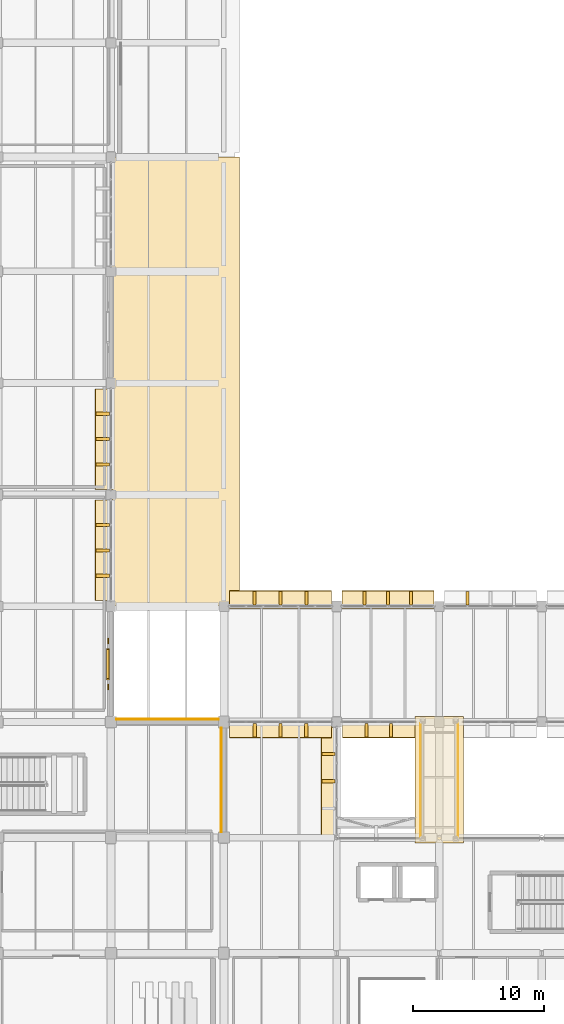
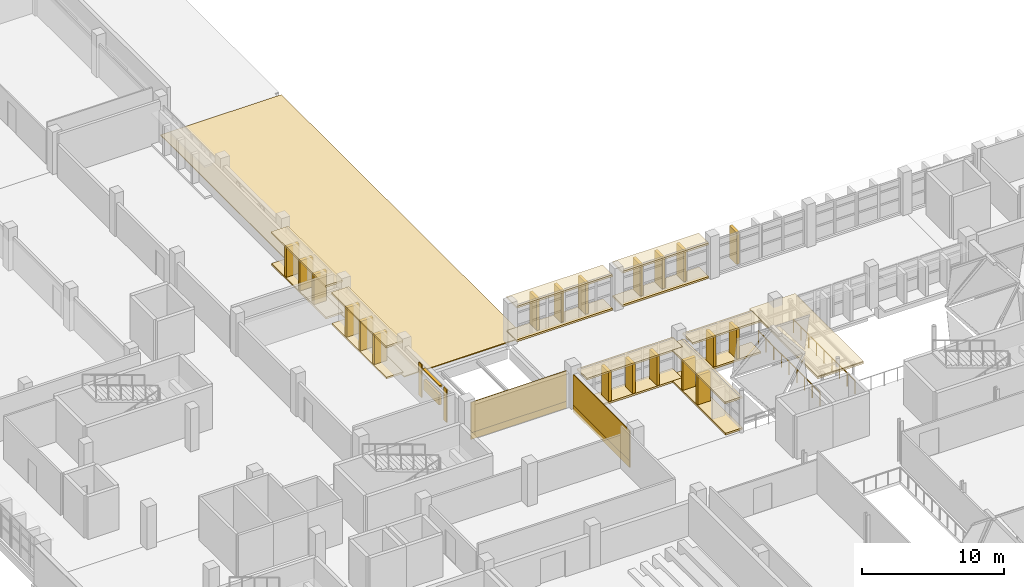
# One storey, part 74 of 80: 23 coverings, 22 shading devices, 2 railings.
"""IFC4 building model written with IfcOpenShell, lengths in metres."""

from ifc_helpers import new_model, si_unit, direction, frame, origin, origin_2d, place, context, subcontext, project, spatial, polyline, rectangle, circle, outline, extrude, material, layer, layer_set, type_object, element, save


model = new_model("IFC4")

# Units and contexts
model_context = context("Model", 3, precision=1e-05, world=origin(), true_north=direction((0.0, 1.0)))
body_context = subcontext(model_context, "Body", "Model", "MODEL_VIEW")
ifc_project = project(units=[si_unit("LENGTHUNIT", "METRE"), si_unit("AREAUNIT", "SQUARE_METRE"), si_unit("VOLUMEUNIT", "CUBIC_METRE"), si_unit("PLANEANGLEUNIT", "RADIAN"), si_unit("MASSUNIT", "GRAM", prefix="KILO")], contexts=[model_context])

# Site, building, storey
site_placement = place(None, origin())
site = spatial("IfcSite", under=ifc_project, at=site_placement, CompositionType="ELEMENT")
building_placement = place(site_placement, origin())
building = spatial("IfcBuilding", under=site, at=building_placement, Name="Varnakota Cinema and Media Centre", CompositionType="ELEMENT")
storey_placement = place(building_placement, frame((0.0, 0.0, 4.5)))
storey = spatial("IfcBuildingStorey", under=building, at=storey_placement, Name="L01", CompositionType="ELEMENT", Elevation=4.5)

# Coverings
ifc_material_1 = material(Name="Precast concrete M40", Category="concrete")
ifc_layer_1 = layer(ifc_material_1, 0.159912109375)
ifc_layer_set_1 = layer_set([ifc_layer_1], Name="Precast concrete M40")
covering_type_1 = type_object("IfcCoveringType", Name="COV-CHAJJA-160", PredefinedType="CLADDING", material=ifc_layer_set_1)
covering_1_placement = place(storey_placement, frame((0.0, 0.0, 2.875)))
element("IfcCovering", 1, at=covering_1_placement, inside=storey, type_object=covering_type_1, Name="L01 Brutalist chajja overhang LINK-N-1", PredefinedType="CLADDING", context=body_context, shape_type="SweptSolid", body=[
    extrude(outline(polyline([(43.4150390625, 43.820068359375), (51.2099609375, 43.820068359375), (51.2099609375, 45.219970703125), (43.4150390625, 45.219970703125), (43.4150390625, 43.820068359375)])), origin(), (0.0, 0.0, 1.0), 0.159912109375),
])
covering_2_placement = place(storey_placement, origin())
element("IfcCovering", 2, at=covering_2_placement, inside=storey, type_object=covering_type_1, Name="L01 brise-soleil base plinth LINK-N-1", PredefinedType="CLADDING", context=body_context, shape_type="SweptSolid", body=[
    extrude(outline(polyline([(43.4150390625, 43.820068359375), (51.2099609375, 43.820068359375), (51.2099609375, 45.179931640625), (43.4150390625, 45.179931640625), (43.4150390625, 43.820068359375)])), origin(), (0.0, 0.0, 1.0), 0.159912109375),
])
covering_3_placement = place(storey_placement, frame((0.0, 0.0, 2.875)))
element("IfcCovering", 3, at=covering_3_placement, inside=storey, type_object=covering_type_1, Name="L01 Brutalist chajja overhang LINK-N-2", PredefinedType="CLADDING", context=body_context, shape_type="SweptSolid", body=[
    extrude(outline(polyline([(51.989990234375, 43.820068359375), (58.985107421875, 43.820068359375), (58.985107421875, 45.219970703125), (51.989990234375, 45.219970703125), (51.989990234375, 43.820068359375)])), origin(), (0.0, 0.0, 1.0), 0.159912109375),
])
covering_4_placement = place(storey_placement, origin())
element("IfcCovering", 4, at=covering_4_placement, inside=storey, type_object=covering_type_1, Name="L01 brise-soleil base plinth LINK-N-2", PredefinedType="CLADDING", context=body_context, shape_type="SweptSolid", body=[
    extrude(outline(polyline([(51.989990234375, 43.820068359375), (58.985107421875, 43.820068359375), (58.985107421875, 45.179931640625), (51.989990234375, 45.179931640625), (51.989990234375, 43.820068359375)])), origin(), (0.0, 0.0, 1.0), 0.159912109375),
])
covering_5_placement = place(storey_placement, frame((0.0, 0.0, 2.72509765625)))
element("IfcCovering", 5, at=covering_5_placement, inside=storey, type_object=covering_type_1, Name="L01 Brutalist chajja overhang LINK-S-W-1", PredefinedType="CLADDING", context=body_context, shape_type="SweptSolid", body=[
    extrude(outline(polyline([(57.56005859375, 35.3798828125), (52.014892578125, 35.3798828125), (52.014892578125, 33.97998046875), (57.56005859375, 33.97998046875), (57.56005859375, 35.3798828125)])), origin(), (0.0, 0.0, 1.0), 0.159912109375),
])
covering_6_placement = place(storey_placement, origin())
element("IfcCovering", 6, at=covering_6_placement, inside=storey, type_object=covering_type_1, Name="L01 brise-soleil base plinth LINK-S-W-1", PredefinedType="CLADDING", context=body_context, shape_type="SweptSolid", body=[
    extrude(outline(polyline([(57.56005859375, 35.3798828125), (52.014892578125, 35.3798828125), (52.014892578125, 34.02001953125), (57.56005859375, 34.02001953125), (57.56005859375, 35.3798828125)])), origin(), (0.0, 0.0, 1.0), 0.159912109375),
])
covering_7_placement = place(storey_placement, frame((0.0, 0.0, 2.675048828125)))
element("IfcCovering", 7, at=covering_7_placement, inside=storey, type_object=covering_type_1, Name="L01 Brutalist chajja overhang LINK-S-W-2", PredefinedType="CLADDING", context=body_context, shape_type="SweptSolid", body=[
    extrude(outline(polyline([(51.18505859375, 35.3798828125), (43.43994140625, 35.3798828125), (43.43994140625, 33.97998046875), (51.18505859375, 33.97998046875), (51.18505859375, 35.3798828125)])), origin(), (0.0, 0.0, 1.0), 0.159912109375),
])
covering_8_placement = place(storey_placement, origin())
element("IfcCovering", 8, at=covering_8_placement, inside=storey, type_object=covering_type_1, Name="L01 brise-soleil base plinth LINK-S-W-2", PredefinedType="CLADDING", context=body_context, shape_type="SweptSolid", body=[
    extrude(outline(polyline([(51.18505859375, 35.3798828125), (43.43994140625, 35.3798828125), (43.43994140625, 34.02001953125), (51.18505859375, 34.02001953125), (51.18505859375, 35.3798828125)])), origin(), (0.0, 0.0, 1.0), 0.159912109375),
])
covering_9_placement = place(storey_placement, frame((0.0, 0.0, 2.675048828125)))
element("IfcCovering", 9, at=covering_9_placement, inside=storey, type_object=covering_type_1, Name="L01 Brutalist chajja overhang WLINK-E-1", PredefinedType="CLADDING", context=body_context, shape_type="SweptSolid", body=[
    extrude(outline(polyline([(51.780029296875, 26.60205078125), (51.780029296875, 34.784912109375), (50.3798828125, 34.784912109375), (50.3798828125, 26.60205078125), (51.780029296875, 26.60205078125)])), origin(), (0.0, 0.0, 1.0), 0.159912109375),
])
covering_10_placement = place(storey_placement, origin())
element("IfcCovering", 10, at=covering_10_placement, inside=storey, type_object=covering_type_1, Name="L01 brise-soleil base plinth WLINK-E-1", PredefinedType="CLADDING", context=body_context, shape_type="SweptSolid", body=[
    extrude(outline(polyline([(51.780029296875, 26.60205078125), (51.780029296875, 34.784912109375), (50.419921875, 34.784912109375), (50.419921875, 26.60205078125), (51.780029296875, 26.60205078125)])), origin(), (0.0, 0.0, 1.0), 0.159912109375),
])
covering_11_placement = place(storey_placement, frame((0.0, 0.0, 2.675048828125)))
element("IfcCovering", 11, at=covering_11_placement, inside=storey, type_object=covering_type_1, Name="L01 Brutalist chajja overhang V5-E-2", PredefinedType="CLADDING", context=body_context, shape_type="SweptSolid", body=[
    extrude(outline(polyline([(34.580078125, 44.43994140625), (34.580078125, 52.0849609375), (33.179931640625, 52.0849609375), (33.179931640625, 44.43994140625), (34.580078125, 44.43994140625)])), origin(), (0.0, 0.0, 1.0), 0.159912109375),
])
covering_12_placement = place(storey_placement, origin())
element("IfcCovering", 12, at=covering_12_placement, inside=storey, type_object=covering_type_1, Name="L01 brise-soleil base plinth V5-E-2", PredefinedType="CLADDING", context=body_context, shape_type="SweptSolid", body=[
    extrude(outline(polyline([(34.580078125, 44.43994140625), (34.580078125, 52.0849609375), (33.219970703125, 52.0849609375), (33.219970703125, 44.43994140625), (34.580078125, 44.43994140625)])), origin(), (0.0, 0.0, 1.0), 0.159912109375),
])
covering_13_placement = place(storey_placement, frame((0.0, 0.0, 2.72509765625)))
element("IfcCovering", 13, at=covering_13_placement, inside=storey, type_object=covering_type_1, Name="L01 Brutalist chajja overhang V5-E-3", PredefinedType="CLADDING", context=body_context, shape_type="SweptSolid", body=[
    extrude(outline(polyline([(34.580078125, 52.9150390625), (34.580078125, 60.56005859375), (33.179931640625, 60.56005859375), (33.179931640625, 52.9150390625), (34.580078125, 52.9150390625)])), origin(), (0.0, 0.0, 1.0), 0.159912109375),
])
covering_14_placement = place(storey_placement, origin())
element("IfcCovering", 14, at=covering_14_placement, inside=storey, type_object=covering_type_1, Name="L01 brise-soleil base plinth V5-E-3", PredefinedType="CLADDING", context=body_context, shape_type="SweptSolid", body=[
    extrude(outline(polyline([(34.580078125, 52.9150390625), (34.580078125, 60.56005859375), (33.219970703125, 60.56005859375), (33.219970703125, 52.9150390625), (34.580078125, 52.9150390625)])), origin(), (0.0, 0.0, 1.0), 0.159912109375),
])
ifc_material_2 = material(Name="Pale Tandur limestone cool roof", Category="masonry")
ifc_layer_2 = layer(ifc_material_2, 0.080078125)
ifc_layer_set_2 = layer_set([ifc_layer_2], Name="Pale Tandur limestone cool roof")
covering_type_2 = type_object("IfcCoveringType", Name="COV-COOLROOF-80", PredefinedType="ROOFING", material=ifc_layer_set_2)
covering_15_placement = place(storey_placement, frame((0.0, 0.0, 2.85009765625)))
element("IfcCovering", 15, at=covering_15_placement, inside=storey, type_object=covering_type_2, Name="L01 Chowk sky-bridge BR1 cool-roof cap", PredefinedType="ROOFING", context=body_context, shape_type="SweptSolid", body=[
    extrude(outline(polyline([(57.550048828125, 26.0), (61.25, 26.0), (61.25, 35.60009765625), (57.550048828125, 35.60009765625), (57.550048828125, 26.0)])), origin(), (0.0, 0.0, 1.0), 0.059814453125),
])
covering_16_placement = place(storey_placement, origin())
element("IfcCovering", 16, at=covering_16_placement, inside=storey, type_object=covering_type_2, Name="L01 cool roof membrane ROOF-V5-EAST", PredefinedType="ROOFING", context=body_context, shape_type="SweptSolid", body=[
    extrude(outline(polyline([(34.39990234375, 44.02001953125), (43.85009765625, 44.02001953125), (43.85009765625, 44.3701171875), (44.199951171875, 44.3701171875), (44.199951171875, 78.199951171875), (34.39990234375, 78.199951171875), (34.39990234375, 44.02001953125)])), origin(), (0.0, 0.0, 1.0), 0.080078125),
])
ifc_material_3 = material(Name="Pale Tandur limestone cladding", Category="masonry")
ifc_layer_3 = layer(ifc_material_3, 0.1201171875)
ifc_layer_set_3 = layer_set([ifc_layer_3], Name="Pale Tandur limestone cladding")
covering_type_3 = type_object("IfcCoveringType", Name="COV-CORNICE-120", PredefinedType="ROOFING", material=ifc_layer_set_3)
covering_17_placement = place(storey_placement, frame((0.0, 0.0, 2.68994140625)))
element("IfcCovering", 17, at=covering_17_placement, inside=storey, type_object=covering_type_3, Name="L01 Chowk sky-bridge BR1 precast sun-canopy", PredefinedType="ROOFING", context=body_context, shape_type="SweptSolid", body=[
    extrude(outline(polyline([(57.550048828125, 26.0), (61.25, 26.0), (61.25, 35.60009765625), (57.550048828125, 35.60009765625), (57.550048828125, 26.0)])), origin(), (0.0, 0.0, 1.0), 0.16015625),
])
ifc_material_4 = material(Name="Pale Tandur limestone cladding", Category="masonry")
ifc_layer_4 = layer(ifc_material_4, 0.06005859375)
ifc_layer_set_4 = layer_set([ifc_layer_4], Name="Pale Tandur limestone cladding")
covering_type_4 = type_object("IfcCoveringType", Name="COV-TANDUR-ASHLAR-60", PredefinedType="CLADDING", material=ifc_layer_set_4)
covering_18_placement = place(storey_placement, frame((42.794921875, 30.78759765625, -0.25), z_axis=(0.0, 0.0, 1.0), x_axis=(0.0, 1.0, 0.0)))
element("IfcCovering", 18, at=covering_18_placement, inside=storey, type_object=covering_type_4, Name="L01 V4 pale Tandur stone spandrel ashlar V4-CHE-01", PredefinedType="CLADDING", context=body_context, shape_type="SweptSolid", body=[
    extrude(rectangle(XDim=7.925048828125, YDim=0.06005859375, at=origin_2d()), origin(), (0.0, 0.0, 1.0), 0.580078125),
])
covering_19_placement = place(storey_placement, frame((42.794921875, 30.78759765625, 0.330078125), z_axis=(0.0, 0.0, 1.0), x_axis=(0.0, 1.0, 0.0)))
element("IfcCovering", 19, at=covering_19_placement, inside=storey, type_object=covering_type_4, Name="L01 V4 pale Tandur stone full ashlar V4-CHE-01", PredefinedType="CLADDING", context=body_context, shape_type="SweptSolid", body=[
    extrude(rectangle(XDim=7.925048828125, YDim=0.06005859375, at=origin_2d()), origin(), (0.0, 0.0, 1.0), 2.60498046875),
])
covering_20_placement = place(storey_placement, frame((38.71240234375, 35.405029296875, -0.25), z_axis=(0.0, 0.0, 1.0), x_axis=(1.0, 0.0, 0.0)))
element("IfcCovering", 20, at=covering_20_placement, inside=storey, type_object=covering_type_4, Name="L01 V4 pale Tandur stone spandrel ashlar V4-N-01", PredefinedType="CLADDING", context=body_context, shape_type="SweptSolid", body=[
    extrude(rectangle(XDim=7.77490234375, YDim=0.06005859375, at=origin_2d()), origin(), (0.0, 0.0, 1.0), 0.580078125),
])
covering_21_placement = place(storey_placement, frame((38.71240234375, 35.405029296875, 0.330078125), z_axis=(0.0, 0.0, 1.0), x_axis=(1.0, 0.0, 0.0)))
element("IfcCovering", 21, at=covering_21_placement, inside=storey, type_object=covering_type_4, Name="L01 V4 pale Tandur stone full ashlar V4-N-01", PredefinedType="CLADDING", context=body_context, shape_type="SweptSolid", body=[
    extrude(rectangle(XDim=7.77490234375, YDim=0.06005859375, at=origin_2d()), origin(), (0.0, 0.0, 1.0), 2.60498046875),
])
for number, where, z_axis, x_axis, name in (
    (22, (34.215087890625, 37.85791015625, 0.06005859375), (0.0, 0.0, 1.0), (0.0, 1.0, 0.0), "L01 acoustic studio stone relief pilaster V5-E-1.1"),
    (23, (34.215087890625, 41.366943359375, 0.06005859375), (0.0, 0.0, 1.0), (0.0, 1.0, 0.0), "L01 acoustic studio stone relief pilaster V5-E-1.2"),
):
    element("IfcCovering", number, at=place(storey_placement, frame(where, z_axis=z_axis, x_axis=x_axis)), inside=storey, type_object=covering_type_4, Name=name, PredefinedType="CLADDING", context=body_context, shape_type="SweptSolid", body=[
        extrude(rectangle(XDim=0.419921875, YDim=0.080078125, at=origin_2d()), origin(), (0.0, 0.0, 1.0), 2.81494140625),
    ])

# Railings
ifc_material_5 = material(Name="Anodised golden-bronze steel Grade 350 (E350)", Category="steel")
ifc_layer_5 = layer(ifc_material_5, 0.050048828125)
ifc_layer_set_5 = layer_set([ifc_layer_5], Name="Anodised golden-bronze steel Grade 350 (E350)")
railing_type = type_object("IfcRailingType", Name="RAIL-GUARD-1150", PredefinedType="BALUSTRADE", material=ifc_layer_set_5)
for number, where, name in (
    (24, (57.97998046875, 26.449951171875, 0.0), "L01 guard balustrade GRD-BR1-W-1"),
    (25, (60.820068359375, 26.449951171875, 0.0), "L01 guard balustrade GRD-BR1-E-1"),
):
    element("IfcRailing", number, at=place(storey_placement, frame(where)), inside=storey, type_object=railing_type, Name=name, PredefinedType="BALUSTRADE", context=body_context, shape_type="SweptSolid", body=[
        extrude(circle(Radius=0.02392578125, at=origin_2d()), frame((0.0, 0.0, 1.1259765625), z_axis=(0.0, 1.0, 0.0), x_axis=(-1.0, 0.0, 0.0)), (0.0, 0.0, 1.0), 8.64013671875),
        extrude(circle(Radius=0.02099609375, at=origin_2d()), origin(), (0.0, 0.0, 1.0), 1.101806640625),
        extrude(circle(Radius=0.02099609375, at=origin_2d()), frame((0.0, 1.080078125, 0.0)), (0.0, 0.0, 1.0), 1.101806640625),
        extrude(circle(Radius=0.02099609375, at=origin_2d()), frame((0.0, 2.16015625, 0.0)), (0.0, 0.0, 1.0), 1.101806640625),
        extrude(circle(Radius=0.02099609375, at=origin_2d()), frame((0.0, 3.239990234375, 0.0)), (0.0, 0.0, 1.0), 1.101806640625),
        extrude(circle(Radius=0.02099609375, at=origin_2d()), frame((0.0, 4.320068359375, 0.0)), (0.0, 0.0, 1.0), 1.101806640625),
        extrude(circle(Radius=0.02099609375, at=origin_2d()), frame((0.0, 5.400146484375, 0.0)), (0.0, 0.0, 1.0), 1.101806640625),
        extrude(circle(Radius=0.02099609375, at=origin_2d()), frame((0.0, 6.47998046875, 0.0)), (0.0, 0.0, 1.0), 1.101806640625),
        extrude(circle(Radius=0.02099609375, at=origin_2d()), frame((0.0, 7.56005859375, 0.0)), (0.0, 0.0, 1.0), 1.101806640625),
        extrude(circle(Radius=0.02099609375, at=origin_2d()), frame((0.0, 8.64013671875, 0.0)), (0.0, 0.0, 1.0), 1.101806640625),
    ])

# Shading devices
ifc_material_6 = material(Name="Precast concrete M40", Category="concrete")
shading_device_type_1 = type_object("IfcShadingDeviceType", Name="SHD-BRISE-FIN-240", PredefinedType="JALOUSIE", material=ifc_material_6)
for number, where, z_axis, x_axis, name in (
    (26, (45.34375, 44.6298828125, 0.14990234375), (0.0, 0.0, 1.0), (1.0, 0.0, 0.0), "L01 vertical concrete brise-soleil fin LINK-N-1.1"),
    (27, (47.3125, 44.6298828125, 0.14990234375), (0.0, 0.0, 1.0), (1.0, 0.0, 0.0), "L01 vertical concrete brise-soleil fin LINK-N-1.2"),
    (28, (49.28125, 44.6298828125, 0.14990234375), (0.0, 0.0, 1.0), (1.0, 0.0, 0.0), "L01 vertical concrete brise-soleil fin LINK-N-1.3"),
    (29, (53.71875, 44.6298828125, 0.14990234375), (0.0, 0.0, 1.0), (1.0, 0.0, 0.0), "L01 vertical concrete brise-soleil fin LINK-N-2.1"),
    (30, (55.487548828125, 44.6298828125, 0.14990234375), (0.0, 0.0, 1.0), (1.0, 0.0, 0.0), "L01 vertical concrete brise-soleil fin LINK-N-2.2"),
    (31, (57.256103515625, 44.6298828125, 0.14990234375), (0.0, 0.0, 1.0), (1.0, 0.0, 0.0), "L01 vertical concrete brise-soleil fin LINK-N-2.3"),
    (32, (61.543701171875, 44.6298828125, 0.14990234375), (0.0, 0.0, 1.0), (1.0, 0.0, 0.0), "L01 vertical concrete brise-soleil fin LINK-N-3.1"),
):
    element("IfcShadingDevice", number, at=place(storey_placement, frame(where, z_axis=z_axis, x_axis=x_axis)), inside=storey, type_object=shading_device_type_1, Name=name, PredefinedType="JALOUSIE", context=body_context, shape_type="SweptSolid", body=[
        extrude(rectangle(XDim=0.239990234375, YDim=1.02001953125, at=origin_2d()), origin(), (0.0, 0.0, 1.0), 2.735107421875),
    ])
for number, where, z_axis, x_axis, name in (
    (33, (55.72509765625, 34.570068359375, 0.14990234375), (0.0, 0.0, 1.0), (-1.0, 0.0, 0.0), "L01 vertical concrete brise-soleil fin LINK-S-W-1.1"),
    (34, (53.85009765625, 34.570068359375, 0.14990234375), (0.0, 0.0, 1.0), (-1.0, 0.0, 0.0), "L01 vertical concrete brise-soleil fin LINK-S-W-1.2"),
):
    element("IfcShadingDevice", number, at=place(storey_placement, frame(where, z_axis=z_axis, x_axis=x_axis)), inside=storey, type_object=shading_device_type_1, Name=name, PredefinedType="JALOUSIE", context=body_context, shape_type="SweptSolid", body=[
        extrude(rectangle(XDim=0.239990234375, YDim=1.02001953125, at=origin_2d()), origin(), (0.0, 0.0, 1.0), 2.5849609375),
    ])
for number, where, z_axis, x_axis, name in (
    (35, (49.268798828125, 34.570068359375, 0.14990234375), (0.0, 0.0, 1.0), (-1.0, 0.0, 0.0), "L01 vertical concrete brise-soleil fin LINK-S-W-2.1"),
    (36, (47.3125, 34.570068359375, 0.14990234375), (0.0, 0.0, 1.0), (-1.0, 0.0, 0.0), "L01 vertical concrete brise-soleil fin LINK-S-W-2.2"),
    (37, (45.356201171875, 34.570068359375, 0.14990234375), (0.0, 0.0, 1.0), (-1.0, 0.0, 0.0), "L01 vertical concrete brise-soleil fin LINK-S-W-2.3"),
    (38, (50.969970703125, 30.693603515625, 0.14990234375), (0.0, 0.0, 1.0), (0.0, 1.0, 0.0), "L01 vertical concrete brise-soleil fin WLINK-E-1.2"),
    (39, (50.969970703125, 32.75927734375, 0.14990234375), (0.0, 0.0, 1.0), (0.0, 1.0, 0.0), "L01 vertical concrete brise-soleil fin WLINK-E-1.3"),
    (40, (33.77001953125, 46.331298828125, 0.14990234375), (0.0, 0.0, 1.0), (0.0, 1.0, 0.0), "L01 vertical concrete brise-soleil fin V5-E-2.1"),
    (41, (33.77001953125, 48.262451171875, 0.14990234375), (0.0, 0.0, 1.0), (0.0, 1.0, 0.0), "L01 vertical concrete brise-soleil fin V5-E-2.2"),
    (42, (33.77001953125, 50.19384765625, 0.14990234375), (0.0, 0.0, 1.0), (0.0, 1.0, 0.0), "L01 vertical concrete brise-soleil fin V5-E-2.3"),
):
    element("IfcShadingDevice", number, at=place(storey_placement, frame(where, z_axis=z_axis, x_axis=x_axis)), inside=storey, type_object=shading_device_type_1, Name=name, PredefinedType="JALOUSIE", context=body_context, shape_type="SweptSolid", body=[
        extrude(rectangle(XDim=0.239990234375, YDim=1.02001953125, at=origin_2d()), origin(), (0.0, 0.0, 1.0), 2.534912109375),
    ])
for number, where, z_axis, x_axis, name in (
    (43, (33.77001953125, 54.806396484375, 0.14990234375), (0.0, 0.0, 1.0), (0.0, 1.0, 0.0), "L01 vertical concrete brise-soleil fin V5-E-3.1"),
    (44, (33.77001953125, 56.737548828125, 0.14990234375), (0.0, 0.0, 1.0), (0.0, 1.0, 0.0), "L01 vertical concrete brise-soleil fin V5-E-3.2"),
    (45, (33.77001953125, 58.668701171875, 0.14990234375), (0.0, 0.0, 1.0), (0.0, 1.0, 0.0), "L01 vertical concrete brise-soleil fin V5-E-3.3"),
):
    element("IfcShadingDevice", number, at=place(storey_placement, frame(where, z_axis=z_axis, x_axis=x_axis)), inside=storey, type_object=shading_device_type_1, Name=name, PredefinedType="JALOUSIE", context=body_context, shape_type="SweptSolid", body=[
        extrude(rectangle(XDim=0.239990234375, YDim=1.02001953125, at=origin_2d()), origin(), (0.0, 0.0, 1.0), 2.5849609375),
    ])
ifc_material_7 = material(Name="Precast concrete M40", Category="concrete")
shading_device_type_2 = type_object("IfcShadingDeviceType", Name="SHD-CHAJJA-1050", PredefinedType="AWNING", material=ifc_material_7)
shading_device_1_placement = place(storey_placement, frame((34.169921875, 39.612548828125, 2.6650390625), z_axis=(0.0, 0.0, 1.0), x_axis=(0.0, 1.0, 0.0)))
element("IfcShadingDevice", 46, at=shading_device_1_placement, inside=storey, type_object=shading_device_type_2, Name="L01 acoustic intake weather hood V5-E-1", PredefinedType="AWNING", context=body_context, shape_type="SweptSolid", body=[
    extrude(rectangle(XDim=2.39990234375, YDim=0.239990234375, at=origin_2d()), origin(), (0.0, 0.0, 1.0), 0.139892578125),
])
ifc_material_8 = material(Name="Precast concrete M40", Category="concrete")
shading_device_type_3 = type_object("IfcShadingDeviceType", Name="SHD-FIN-1050", PredefinedType="JALOUSIE", material=ifc_material_8)
shading_device_2_placement = place(storey_placement, frame((34.169921875, 39.612548828125, 1.074951171875), z_axis=(0.0, 0.0, 1.0), x_axis=(0.0, 1.0, 0.0)))
element("IfcShadingDevice", 47, at=shading_device_2_placement, inside=storey, type_object=shading_device_type_3, Name="L01 studio acoustic louvre screen V5-E-1", PredefinedType="JALOUSIE", context=body_context, shape_type="SweptSolid", body=[
    extrude(rectangle(XDim=2.199951171875, YDim=0.199951171875, at=origin_2d()), origin(), (0.0, 0.0, 1.0), 0.85009765625),
])

save(model, "model.ifc")
